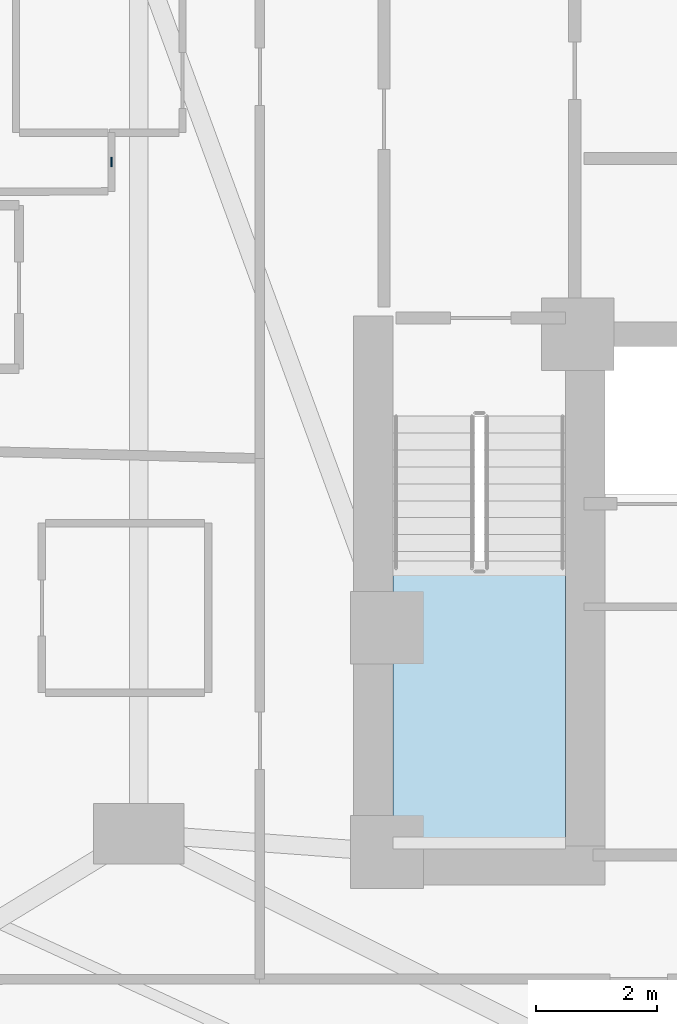
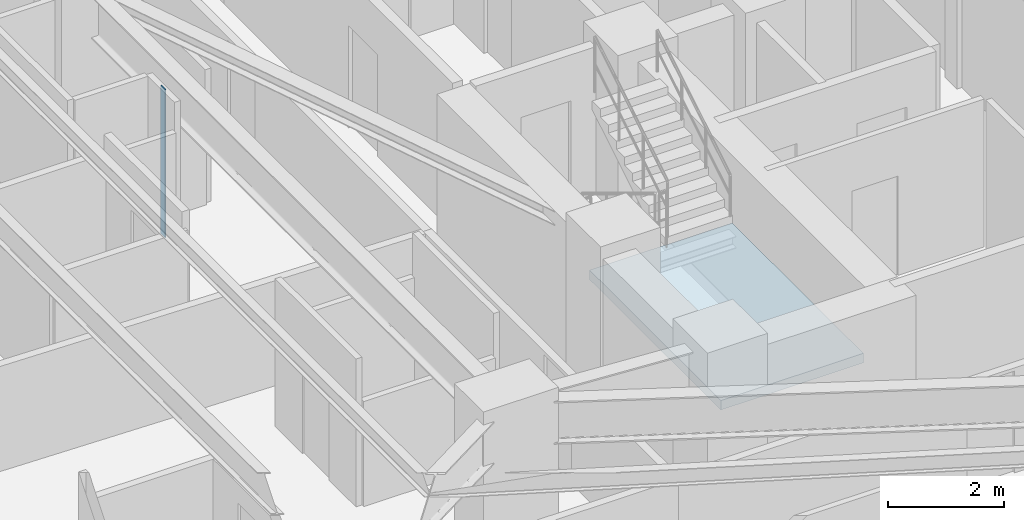
# One storey, part 4 of 15: 1 plate, 1 slab, 1 element without a shape of its own.
"""IFC4 building model written with IfcOpenShell, lengths in metres."""

from ifc_helpers import new_model, si_unit, direction, frame, origin, origin_2d, place, context, subcontext, project, spatial, polyline, rectangle, outline, extrude, material, layer, layer_set, type_object, element, aggregate, save


model = new_model("IFC4")

# Units and contexts
model_context = context("Model", 3, precision=1e-05, world=origin(), true_north=direction((0.0, 1.0)))
body_context = subcontext(model_context, "Body", "Model", "MODEL_VIEW")
ifc_project = project(units=[si_unit("LENGTHUNIT", "METRE"), si_unit("AREAUNIT", "SQUARE_METRE"), si_unit("VOLUMEUNIT", "CUBIC_METRE"), si_unit("PLANEANGLEUNIT", "RADIAN"), si_unit("MASSUNIT", "GRAM", prefix="KILO")], contexts=[model_context])

# Site, building, storey
site_placement = place(None, origin())
site = spatial("IfcSite", under=ifc_project, at=site_placement, CompositionType="ELEMENT")
building_placement = place(site_placement, origin())
building = spatial("IfcBuilding", under=site, at=building_placement, Name="Miruveldt Soraemaru", CompositionType="ELEMENT")
storey_placement = place(building_placement, frame((0.0, 0.0, 32.60009765625)))
storey = spatial("IfcBuildingStorey", under=building, at=storey_placement, Name="L08", CompositionType="ELEMENT", Elevation=32.60009765625)

# Plate
ifc_material_1 = material(Name="Anodised aluminium EN AW-6063 T6", Category="aluminium")
ifc_layer_1 = layer(ifc_material_1, 0.02001953125, Name="Anodised aluminium EN AW-6063 T6", Category="aluminium")
ifc_layer_set_1 = layer_set([ifc_layer_1], Name="Anodised aluminium EN AW-6063 T6")
plate_type = type_object("IfcPlateType", Name="PLT-PART-TRIM", PredefinedType="SHEET", material=ifc_layer_set_1)
plate_placement = place(storey_placement, frame((30.949951171875, 46.89501953125, 0.0), z_axis=(0.0, 0.0, 1.0), x_axis=(0.0, -1.0, 0.0)))
element("IfcPlate", 1, at=plate_placement, inside=storey, type_object=plate_type, Name="L08 Partition Step Corner Trim Plate 049", PredefinedType="SHEET", context=body_context, shape_type="SweptSolid", body=[
    extrude(rectangle(XDim=0.159912109375, YDim=0.02001953125, at=origin_2d()), origin(), (0.0, 0.0, 1.0), 3.125),
])

# Stair, slab
ifc_material_2 = material(Name="Concrete C40/50 (40 MPa)", Category="concrete")
stair_type = type_object("IfcStairType", Name="STAIR-DL-340", PredefinedType="HALF_TURN_STAIR", material=ifc_material_2)
stair_placement = place(storey_placement, origin())
stair = element("IfcStair", 2, at=stair_placement, inside=storey, type_object=stair_type, Name="L08 Protected Exit Stair ST-1", PredefinedType="HALF_TURN_STAIR")
ifc_layer_2 = layer(ifc_material_2, 0.199951171875, Name="Concrete C40/50 (40 MPa)", Category="concrete")
ifc_layer_set_2 = layer_set([ifc_layer_2], Name="Concrete C40/50 (40 MPa)")
slab_type = type_object("IfcSlabType", Name="SLAB-LAND-200", PredefinedType="LANDING", material=ifc_layer_set_2)
slab_placement = place(storey_placement, frame((0.0, 0.0, 1.5)))
slab = element("IfcSlab", 3, at=slab_placement, type_object=slab_type, Name="ST-1 landing 1", PredefinedType="LANDING", context=body_context, shape_type="SweptSolid", body=[
    extrude(outline(polyline([(35.60009765625, 40.197998046875), (35.60009765625, 35.64990234375), (38.449951171875, 35.64990234375), (38.449951171875, 40.197998046875), (35.60009765625, 40.197998046875)])), origin(), (0.0, 0.0, 1.0), 0.199951171875),
])
aggregate(stair, [slab])

save(model, "model.ifc")
